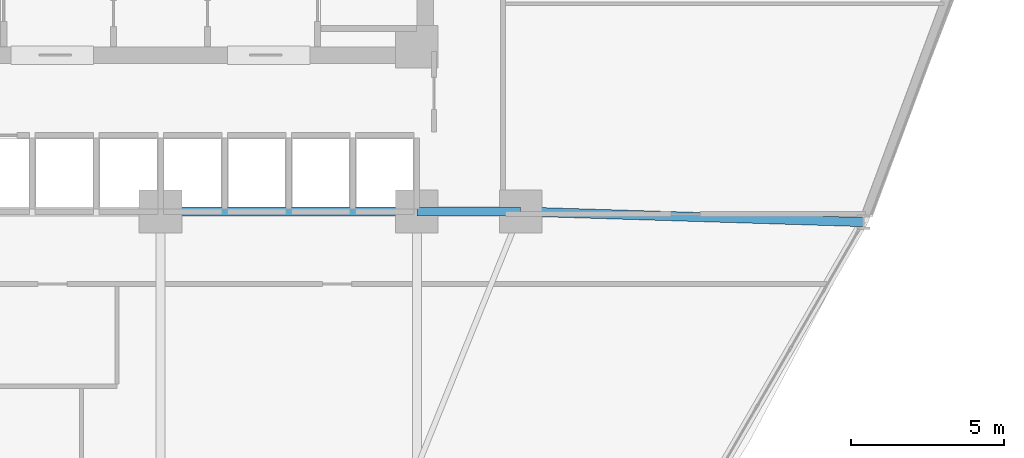
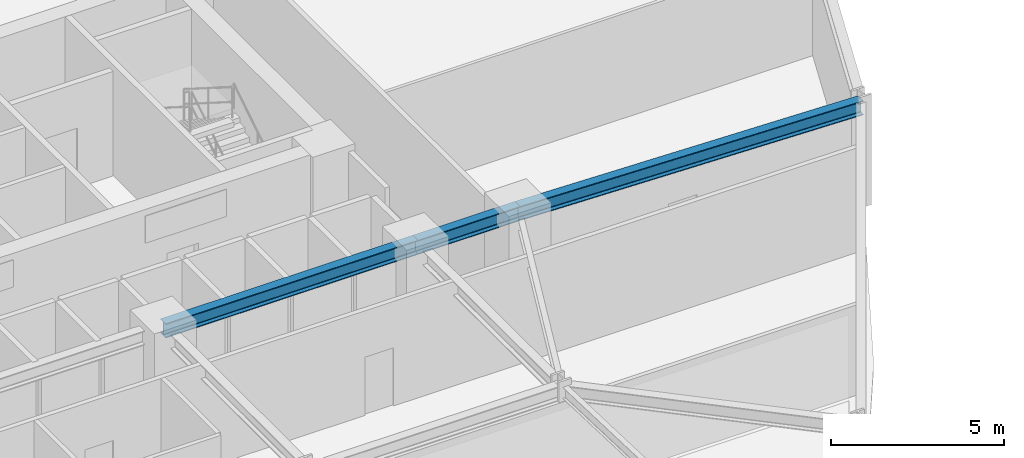
# One storey, part 8 of 23: 3 beams.
"""IFC4 building model written with IfcOpenShell, lengths in metres."""

import ifcopenshell
import ifcopenshell.guid

model = None  # the IFC model being written
_history = None  # IfcOwnerHistory: only IFC2X3 demands one
_inside = {}  # id of a spatial element -> (the spatial element, [elements in it])
_under = {}  # id of a project, library or spatial element -> (it, [spatial elements below it])
_declared = {}  # id of a project -> (the project, [libraries it declares])
_typed = {}  # id of a type object -> (the type object, [elements of that type])
_made_of = {}  # id of a material, layer set ... -> (it, [elements and type objects made of it])


def new_model(schema):
    """Start an empty IFC model of exactly this schema.

    Asked for "IFC4X3", IfcOpenShell would pick the latest addendum, in which some entities
    have other attributes; the version numbers below select the first issue.
    IFC2X3 requires an IfcOwnerHistory on every rooted entity: one is made here for all.
    """
    global model, _history
    if schema == "IFC4X3":
        model = ifcopenshell.file(schema_version=(4, 3, 0, 0))
    else:
        model = ifcopenshell.file(schema=schema)
    _inside.clear()
    _under.clear()
    _declared.clear()
    _typed.clear()
    _made_of.clear()
    _history = None
    if model.schema == "IFC2X3":
        org = make("IfcOrganization", Name="unknown")
        user = make(
            "IfcPersonAndOrganization",
            ThePerson=make("IfcPerson", FamilyName="unknown"),
            TheOrganization=org,
        )
        app = make(
            "IfcApplication",
            ApplicationDeveloper=org,
            Version="unknown",
            ApplicationFullName="unknown",
            ApplicationIdentifier="unknown",
        )
        _history = make(
            "IfcOwnerHistory",
            OwningUser=user,
            OwningApplication=app,
            ChangeAction="ADDED",
            CreationDate=0,
        )
    return model


def make(cls, **values):
    """One entity of the class cls with the attributes given. An attribute that is None is left unset."""
    return model.create_entity(
        cls, **{name: value for name, value in values.items() if value is not None}
    )


def rooted(cls, **values):
    """An entity with a GlobalId (a new one), such as an element, a storey or a relation."""
    return make(cls, GlobalId=ifcopenshell.guid.new(), OwnerHistory=_history, **values)


def si_unit(unit_type, name, prefix=None):
    """IfcSIUnit, for example si_unit("LENGTHUNIT", "METRE", prefix="MILLI")."""
    return make("IfcSIUnit", UnitType=unit_type, Prefix=prefix, Name=name)


def derived_unit(unit_type, elements):
    """IfcDerivedUnit: a product of units, each with its exponent."""
    return make(
        "IfcDerivedUnit",
        Elements=[
            make("IfcDerivedUnitElement", Unit=unit, Exponent=power)
            for unit, power in elements
        ],
        UnitType=unit_type,
    )


def assignment(units):
    """IfcUnitAssignment: the units of a project."""
    return None if units is None else make("IfcUnitAssignment", Units=units)


def point(xyz):
    """IfcCartesianPoint."""
    return None if xyz is None else make("IfcCartesianPoint", Coordinates=xyz)


def direction(xyz):
    """IfcDirection."""
    return None if xyz is None else make("IfcDirection", DirectionRatios=xyz)


def frame(location, z_axis=None, x_axis=None):
    """IfcAxis2Placement3D, a coordinate frame: its origin and axes. An axis left out is left unset."""
    return make(
        "IfcAxis2Placement3D",
        Location=point(location),
        Axis=direction(z_axis),
        RefDirection=direction(x_axis),
    )


def frame_2d(location, x_axis=None):
    """IfcAxis2Placement2D, a coordinate frame in the plane: its origin and x axis."""
    return make(
        "IfcAxis2Placement2D", Location=point(location), RefDirection=direction(x_axis)
    )


def origin():
    """The frame at (0, 0, 0) with its axes left unset."""
    return frame((0.0, 0.0, 0.0))


def origin_2d():
    """The frame at (0, 0) in the plane with its x axis left unset."""
    return frame_2d((0.0, 0.0))


def place(relative_to, where):
    """IfcLocalPlacement: puts the frame where relative to a parent placement (None: the world)."""
    return make(
        "IfcLocalPlacement", PlacementRelTo=relative_to, RelativePlacement=where
    )


def context(
    kind, dimensions, precision=None, world=None, true_north=None, identifier=None
):
    """IfcGeometricRepresentationContext, for example the 3D "Model" context."""
    return make(
        "IfcGeometricRepresentationContext",
        ContextIdentifier=identifier,
        ContextType=kind,
        CoordinateSpaceDimension=dimensions,
        Precision=precision,
        WorldCoordinateSystem=world,
        TrueNorth=true_north,
    )


def subcontext(parent, identifier, kind, view, scale=None):
    """IfcGeometricRepresentationSubContext, for example "Body" below "Model"."""
    return make(
        "IfcGeometricRepresentationSubContext",
        ContextIdentifier=identifier,
        ContextType=kind,
        ParentContext=parent,
        TargetScale=scale,
        TargetView=view,
    )


def project(units=None, contexts=None):
    """IfcProject with its units and contexts."""
    return rooted(
        "IfcProject",
        Name="project",
        RepresentationContexts=contexts,
        UnitsInContext=assignment(units),
    )


def spatial(cls, under=None, at=None, **own):
    """A site, building, storey or space (cls), placed at a placement, below another one or the project."""
    s = rooted(cls, ObjectPlacement=at, **own)
    if under is not None:
        _under.setdefault(under.id(), (under, []))[1].append(s)
    return s


def profile(cls, at=None, kind="AREA", **sizes):
    """A parametric profile (cls). Its sizes go by their IFC names, for example OverallWidth=200.0."""
    return make(cls, ProfileType=kind, Position=at, **sizes)


def i_section(**sizes):
    """IfcIShapeProfileDef."""
    return profile("IfcIShapeProfileDef", **sizes)


def extrude(swept, where, along, depth):
    """IfcExtrudedAreaSolid: the profile swept, set in the frame where, extruded along a direction by depth."""
    return make(
        "IfcExtrudedAreaSolid",
        SweptArea=swept,
        Position=where,
        ExtrudedDirection=direction(along),
        Depth=depth,
    )


def shape(context_of_items, identifier, shape_type, items):
    """IfcShapeRepresentation: the items that make up one representation, for example the "Body"."""
    return make(
        "IfcShapeRepresentation",
        ContextOfItems=context_of_items,
        RepresentationIdentifier=identifier,
        RepresentationType=shape_type,
        Items=items,
    )


def source(mapping_origin, context_of_items, identifier, shape_type, items):
    """IfcRepresentationMap: a shape defined once, which mapped items show again and again."""
    return make(
        "IfcRepresentationMap",
        MappingOrigin=mapping_origin,
        MappedRepresentation=shape(context_of_items, identifier, shape_type, items),
    )


def transform(
    local_origin,
    x_axis=None,
    y_axis=None,
    z_axis=None,
    scale=None,
    scale2=None,
    scale3=None,
    uniform=True,
):
    """IfcCartesianTransformationOperator3D, or its non-uniform kind. x_axis, y_axis, z_axis: its Axis1, 2, 3."""
    if uniform:
        return make(
            "IfcCartesianTransformationOperator3D",
            Axis1=direction(x_axis),
            Axis2=direction(y_axis),
            LocalOrigin=point(local_origin),
            Scale=scale,
            Axis3=direction(z_axis),
        )
    return make(
        "IfcCartesianTransformationOperator3DnonUniform",
        Axis1=direction(x_axis),
        Axis2=direction(y_axis),
        LocalOrigin=point(local_origin),
        Scale=scale,
        Axis3=direction(z_axis),
        Scale2=scale2,
        Scale3=scale3,
    )


def mapped(mapping_source, mapping_target):
    """IfcMappedItem: shows the shape of a source again, moved by a transform."""
    return make(
        "IfcMappedItem", MappingSource=mapping_source, MappingTarget=mapping_target
    )


def material(Name=None, Category=None):
    """IfcMaterial."""
    return make("IfcMaterial", Name=Name, Category=Category)


def material_profile(
    of_material, cross_section, Name=None, Category=None, Priority=None
):
    """IfcMaterialProfile: a cross section and its material."""
    return make(
        "IfcMaterialProfile",
        Name=Name,
        Material=of_material,
        Profile=cross_section,
        Priority=Priority,
        Category=Category,
    )


def profile_set(profiles, Name=None, composite=None):
    """IfcMaterialProfileSet."""
    return make(
        "IfcMaterialProfileSet",
        Name=Name,
        MaterialProfiles=profiles,
        CompositeProfile=composite,
    )


def made_of(thing, what):
    """Note that an element or type object is made of a material, layer set ...; save() writes the relation."""
    if what is not None:
        _made_of.setdefault(what.id(), (what, []))[1].append(thing)
    return thing


def type_object(cls, material=None, **own):
    """A type object (cls), such as IfcWallType, which elements share."""
    return made_of(rooted(cls, **own), material)


def element(
    cls,
    number,
    at=None,
    inside=None,
    cuts=None,
    type_object=None,
    material=None,
    context=None,
    identifier="Body",
    shape_type=None,
    held_by="IfcProductDefinitionShape",
    body=None,
    shapes=None,
    **own,
):
    """One element of the class cls, such as IfcWall. Its Tag is "e" and its number.

    at: its placement. inside: the storey or other place that contains it. cuts: it is an
    opening in that element (IfcRelVoidsElement). A single representation is given by context,
    identifier, shape_type and body (its items); several are given by shapes. held_by: the class
    of the entity that holds the representations. save() writes the other relations.
    """
    e = rooted(cls, Tag="e%d" % number, ObjectPlacement=at, **own)
    if body is not None:
        shapes = [shape(context, identifier, shape_type, body)]
    if shapes is not None:
        e.Representation = make(held_by, Representations=shapes)
    if inside is not None:
        _inside.setdefault(inside.id(), (inside, []))[1].append(e)
    if cuts is not None:
        rooted(
            "IfcRelVoidsElement", RelatingBuildingElement=cuts, RelatedOpeningElement=e
        )
    if type_object is not None:
        _typed.setdefault(type_object.id(), (type_object, []))[1].append(e)
    return made_of(e, material)


def aggregate(whole, parts):
    """IfcRelAggregates: a whole, such as a stair, and the parts it consists of."""
    return rooted("IfcRelAggregates", RelatingObject=whole, RelatedObjects=parts)


def save(model, path):
    """Write the relations noted so far, then the file.

    IfcRelAggregates (storeys below a building ...), IfcRelContainedInSpatialStructure (elements
    in a storey), IfcRelDefinesByType, IfcRelAssociatesMaterial and IfcRelDeclares: one each for
    every whole, place, type object, material and project.
    """
    for whole, parts in _under.values():
        aggregate(whole, parts)
    for where, things in _inside.values():
        rooted(
            "IfcRelContainedInSpatialStructure",
            RelatedElements=things,
            RelatingStructure=where,
        )
    for kind, things in _typed.values():
        rooted("IfcRelDefinesByType", RelatedObjects=things, RelatingType=kind)
    for what, things in _made_of.values():
        rooted("IfcRelAssociatesMaterial", RelatedObjects=things, RelatingMaterial=what)
    for by, libraries in _declared.values():
        rooted("IfcRelDeclares", RelatingContext=by, RelatedDefinitions=libraries)
    model.write(path)


model = new_model("IFC4")

# Units and contexts
model_context = context("Model", 3, precision=1e-05, world=origin(), true_north=direction((0.0, 1.0)))
body_context = subcontext(model_context, "Body", "Model", "MODEL_VIEW")
ifc_project = project(units=[si_unit("LENGTHUNIT", "METRE"), si_unit("AREAUNIT", "SQUARE_METRE"), si_unit("VOLUMEUNIT", "CUBIC_METRE"), si_unit("PLANEANGLEUNIT", "RADIAN"), si_unit("MASSUNIT", "GRAM", prefix="KILO"), derived_unit("THERMALTRANSMITTANCEUNIT", [(si_unit("POWERUNIT", "WATT"), 1), (si_unit("LENGTHUNIT", "METRE"), -2), (si_unit("THERMODYNAMICTEMPERATUREUNIT", "KELVIN"), -1)])], contexts=[model_context])

# Site, building, storey
site_placement = place(None, origin())
site = spatial("IfcSite", under=ifc_project, at=site_placement, CompositionType="ELEMENT")
building_placement = place(site_placement, origin())
building = spatial("IfcBuilding", under=site, at=building_placement, Name="Korsvarv Bourse and Concert Hall", CompositionType="ELEMENT")
storey_placement = place(building_placement, frame((0.0, 0.0, 24.0)))
storey = spatial("IfcBuildingStorey", under=building, at=storey_placement, Name="L05", CompositionType="ELEMENT", Elevation=24.0)

# Beams
ifc_material = material(Name="Steel S355", Category="steel")
ifc_material_profile = material_profile(ifc_material, i_section(OverallWidth=0.300048828125, OverallDepth=0.5, WebThickness=0.014404296875, FlangeThickness=0.028076171875, FilletRadius=0.02392578125, at=origin_2d()), Name="HEB 500")
ifc_profile_set = profile_set([ifc_material_profile], Name="Steel S355")
beam_type = type_object("IfcBeamType", Name="BM-HEB500", PredefinedType="BEAM", material=ifc_profile_set)
shared_shape_1 = source(origin(), body_context, "Body", "SweptSolid", [
    extrude(i_section(OverallWidth=0.300048828125, OverallDepth=0.5, WebThickness=0.014404296875, FlangeThickness=0.028076171875, FilletRadius=0.02392578125, at=origin_2d()), origin(), (0.0, 0.0, 1.0), 3.400146484375),
])
beam_1_placement = place(storey_placement, frame((44.39990234375, 32.39990234375, 3.429931640625), z_axis=(1.0, 0.0, 0.0), x_axis=(0.0, 1.0, 0.0)))
element("IfcBeam", 1, at=beam_1_placement, inside=storey, type_object=beam_type, Name="L05 beam B-07", PredefinedType="BEAM", context=body_context, shape_type="MappedRepresentation", body=[
    mapped(shared_shape_1, transform((0.0, 0.0, 0.0), scale=1.0)),
])
shared_shape_2 = source(origin(), body_context, "Body", "SweptSolid", [
    extrude(i_section(OverallWidth=0.300048828125, OverallDepth=0.5, WebThickness=0.014404296875, FlangeThickness=0.028076171875, FilletRadius=0.02392578125, at=origin_2d()), origin(), (0.0, 0.0, 1.0), 8.39990234375),
])
beam_2_placement = place(storey_placement, frame((36.0, 32.39990234375, 3.429931640625), z_axis=(1.0, 0.0, 0.0), x_axis=(0.0, 1.0, 0.0)))
element("IfcBeam", 2, at=beam_2_placement, inside=storey, type_object=beam_type, Name="L05 beam B-07", PredefinedType="BEAM", context=body_context, shape_type="MappedRepresentation", body=[
    mapped(shared_shape_2, transform((0.0, 0.0, 0.0), scale=1.0)),
])
shared_shape_3 = source(origin(), body_context, "Body", "SweptSolid", [
    extrude(i_section(OverallWidth=0.300048828125, OverallDepth=0.5, WebThickness=0.014404296875, FlangeThickness=0.028076171875, FilletRadius=0.02392578125, at=origin_2d()), origin(), (0.0, 0.0, 1.0), 11.23486328125),
])
beam_3_placement = place(storey_placement, frame((59.029541015625, 32.05419921875, 3.429931640625), z_axis=(-0.999526469652, 0.03077070791, 0.0), x_axis=(-0.03077070791, -0.999526469652, 0.0)))
element("IfcBeam", 3, at=beam_3_placement, inside=storey, type_object=beam_type, Name="L05 beam B-07", PredefinedType="BEAM", context=body_context, shape_type="MappedRepresentation", body=[
    mapped(shared_shape_3, transform((0.0, 0.0, 0.0), scale=1.0)),
])

save(model, "model.ifc")
